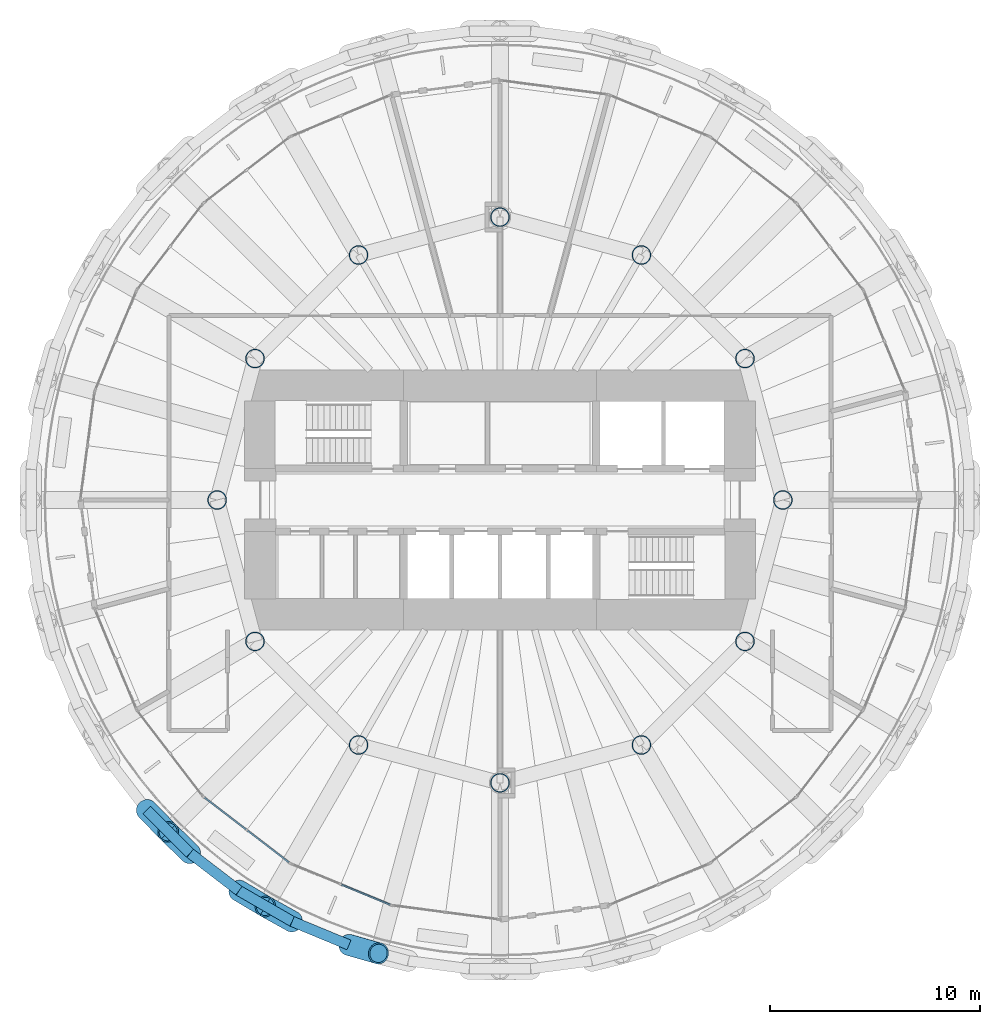
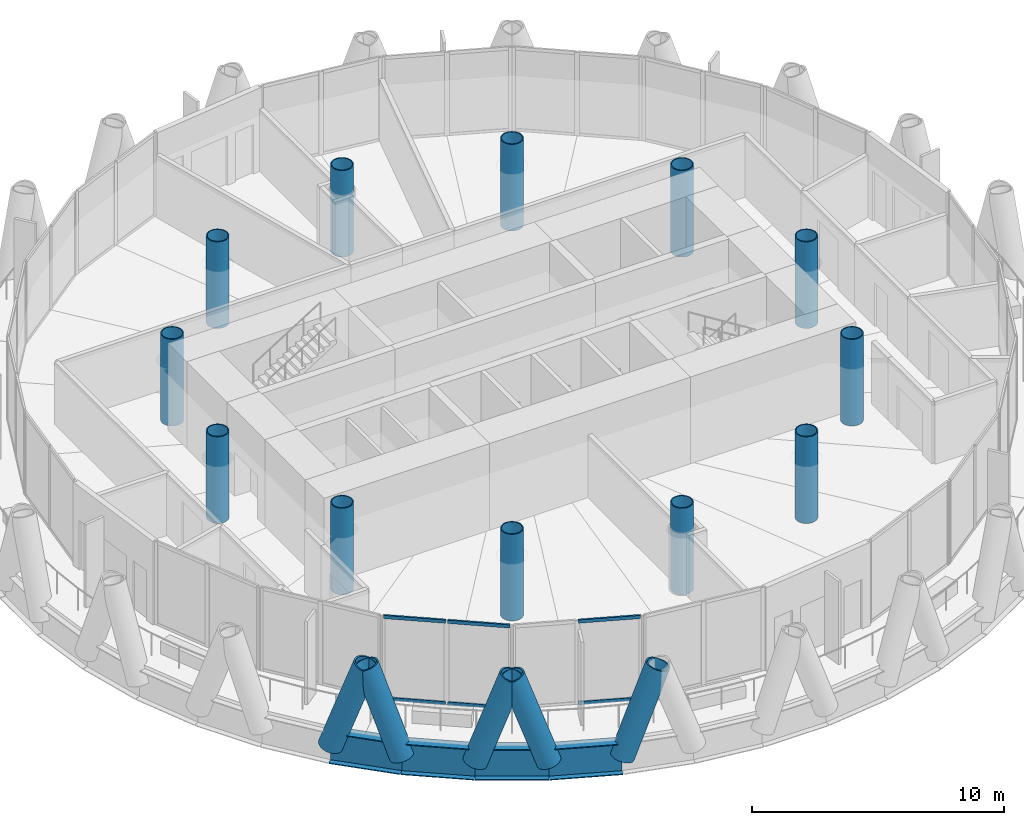
# One storey, part 1 of 14: 12 columns, 11 members, 4 beams, 2 elements without a shape of their own.
"""IFC4 building model written with IfcOpenShell, lengths in metres."""

from ifc_helpers import new_model, si_unit, direction, frame, origin, origin_2d, place, context, subcontext, project, spatial, rectangle, hollow_circle, i_section, extrude, material, material_profile, profile_set, type_object, element, aggregate, save


model = new_model("IFC4")

# Units and contexts
model_context = context("Model", 3, precision=1e-05, world=origin(), true_north=direction((0.0, 1.0)))
body_context = subcontext(model_context, "Body", "Model", "MODEL_VIEW")
ifc_project = project(units=[si_unit("LENGTHUNIT", "METRE"), si_unit("AREAUNIT", "SQUARE_METRE"), si_unit("VOLUMEUNIT", "CUBIC_METRE"), si_unit("PLANEANGLEUNIT", "RADIAN"), si_unit("MASSUNIT", "GRAM", prefix="KILO")], contexts=[model_context])

# Site, building, storey
site_placement = place(None, origin())
site = spatial("IfcSite", under=ifc_project, at=site_placement, CompositionType="ELEMENT")
building_placement = place(site_placement, origin())
building = spatial("IfcBuilding", under=site, at=building_placement, Name="Qaws Media Tower", CompositionType="ELEMENT")
storey_placement = place(building_placement, frame((0.0, 0.0, 240.199951171875)))
storey = spatial("IfcBuildingStorey", under=building, at=storey_placement, Name="L55", CompositionType="ELEMENT", Elevation=240.199951171875)

# Columns
ifc_material_1 = material(Name="Steel S460", Category="steel")
ifc_material_profile_1 = material_profile(ifc_material_1, hollow_circle(Radius=0.45703125, WallThickness=0.044921875, at=origin_2d()), Name="CHS 914x45")
ifc_profile_set_1 = profile_set([ifc_material_profile_1], Name="Steel S460")
column_type = type_object("IfcColumnType", Name="Inner column CHS 914x45", PredefinedType="COLUMN", material=ifc_profile_set_1)
for number, where, z_axis, x_axis, name in (
    (1, (73.5, 50.0, 0.0), (0.0, 0.0, 1.0), (1.0, 0.0, 0.0), "C3 inner column I01 L55"),
    (2, (71.69140625, 56.75, 0.0), (0.0, 0.0, 1.0), (1.0, 0.0, 0.0), "C3 inner column I02 L55"),
    (3, (66.75, 61.69140625, 0.0), (0.0, 0.0, 1.0), (1.0, 0.0, 0.0), "C3 inner column I03 L55"),
    (4, (60.0, 63.5, 0.0), (0.0, 0.0, 1.0), (1.0, 0.0, 0.0), "C3 inner column I04 L55"),
    (5, (53.25, 61.69140625, 0.0), (0.0, 0.0, 1.0), (1.0, 0.0, 0.0), "C3 inner column I05 L55"),
    (6, (48.30859375, 56.75, 0.0), (0.0, 0.0, 1.0), (1.0, 0.0, 0.0), "C3 inner column I06 L55"),
    (7, (46.5, 50.0, 0.0), (0.0, 0.0, 1.0), (1.0, 0.0, 0.0), "C3 inner column I07 L55"),
    (8, (48.30859375, 43.25, 0.0), (0.0, 0.0, 1.0), (1.0, 0.0, 0.0), "C3 inner column I08 L55"),
    (9, (53.25, 38.30859375, 0.0), (0.0, 0.0, 1.0), (1.0, 0.0, 0.0), "C3 inner column I09 L55"),
    (10, (60.0, 36.5, 0.0), (0.0, 0.0, 1.0), (1.0, 0.0, 0.0), "C3 inner column I10 L55"),
    (11, (66.75, 38.30859375, 0.0), (0.0, 0.0, 1.0), (1.0, 0.0, 0.0), "C3 inner column I11 L55"),
    (12, (71.69140625, 43.25, 0.0), (0.0, 0.0, 1.0), (1.0, 0.0, 0.0), "C3 inner column I12 L55"),
):
    element("IfcColumn", number, at=place(storey_placement, frame(where, z_axis=z_axis, x_axis=x_axis)), inside=storey, type_object=column_type, Name=name, PredefinedType="COLUMN", context=body_context, shape_type="SweptSolid", body=[
        extrude(hollow_circle(Radius=0.45703125, WallThickness=0.044921875, at=origin_2d()), origin(), (0.0, 0.0, 1.0), 4.199951171875),
    ])

# Curtain wall, members
ifc_material_2 = material(Name="Aluminium and clear glass", Category="aluminium")
curtain_wall_type = type_object("IfcCurtainWallType", Name="Unitised curtain wall CW-C", PredefinedType="NOTDEFINED", material=ifc_material_2)
curtain_wall_1_placement = place(storey_placement, origin())
curtain_wall_1 = element("IfcCurtainWall", 13, at=curtain_wall_1_placement, inside=storey, type_object=curtain_wall_type, Name="CWC curtain wall L55-16", PredefinedType="NOTDEFINED")
ifc_material_3 = material(Name="Aluminium transom", Category="aluminium")
ifc_material_profile_2 = material_profile(ifc_material_3, rectangle(XDim=0.080078125, YDim=0.159912109375, at=origin_2d()), Name="80x160")
ifc_profile_set_2 = profile_set([ifc_material_profile_2], Name="Aluminium transom")
member_type_1 = type_object("IfcMemberType", Name="Curtain wall transom 80x160", PredefinedType="USERDEFINED", material=ifc_profile_set_2)
member_1_placement = place(storey_placement, frame((45.903564453125, 35.79150390625, 0.0400390625), z_axis=(0.793373099339, -0.608735677651, 0.0), x_axis=(0.608735677651, 0.793373099339, 0.0)))
member_1 = element("IfcMember", 14, at=member_1_placement, type_object=member_type_1, Name="CWC transom 1.1", ObjectType="TRANSOM", PredefinedType="USERDEFINED", context=body_context, shape_type="SweptSolid", body=[
    extrude(rectangle(XDim=0.080078125, YDim=0.159912109375, at=origin_2d()), origin(), (0.0, 0.0, 1.0), 2.493896484375),
])
member_2_placement = place(storey_placement, frame((45.903564453125, 35.79150390625, 4.0), z_axis=(0.793373099339, -0.608735677651, 0.0), x_axis=(0.608735677651, 0.793373099339, 0.0)))
member_2 = element("IfcMember", 15, at=member_2_placement, type_object=member_type_1, Name="CWC transom 1.2", ObjectType="TRANSOM", PredefinedType="USERDEFINED", context=body_context, shape_type="SweptSolid", body=[
    extrude(rectangle(XDim=0.080078125, YDim=0.159912109375, at=origin_2d()), origin(), (0.0, 0.0, 1.0), 2.493896484375),
])
member_3_placement = place(storey_placement, frame((47.945556640625, 34.224609375, 0.0400390625), z_axis=(0.793373099339, -0.608735677651, 0.0), x_axis=(0.608735677651, 0.793373099339, 0.0)))
member_3 = element("IfcMember", 16, at=member_3_placement, type_object=member_type_1, Name="CWC transom 2.1", ObjectType="TRANSOM", PredefinedType="USERDEFINED", context=body_context, shape_type="SweptSolid", body=[
    extrude(rectangle(XDim=0.080078125, YDim=0.159912109375, at=origin_2d()), origin(), (0.0, 0.0, 1.0), 2.493896484375),
])
member_4_placement = place(storey_placement, frame((47.945556640625, 34.224609375, 4.0), z_axis=(0.793373099339, -0.608735677651, 0.0), x_axis=(0.608735677651, 0.793373099339, 0.0)))
member_4 = element("IfcMember", 17, at=member_4_placement, type_object=member_type_1, Name="CWC transom 2.2", ObjectType="TRANSOM", PredefinedType="USERDEFINED", context=body_context, shape_type="SweptSolid", body=[
    extrude(rectangle(XDim=0.080078125, YDim=0.159912109375, at=origin_2d()), origin(), (0.0, 0.0, 1.0), 2.493896484375),
])
aggregate(curtain_wall_1, [member_1, member_2, member_3, member_4])

curtain_wall_2_placement = place(storey_placement, origin())
curtain_wall_2 = element("IfcCurtainWall", 18, at=curtain_wall_2_placement, inside=storey, type_object=curtain_wall_type, Name="CWC curtain wall L55-17", PredefinedType="NOTDEFINED")
member_5_placement = place(storey_placement, frame((52.439208984375, 31.642333984375, 0.0400390625), z_axis=(0.923877226878, -0.382688998608, 0.0), x_axis=(0.382688998608, 0.923877226878, 0.0)))
member_5 = element("IfcMember", 19, at=member_5_placement, type_object=member_type_1, Name="CWC transom 2.1", ObjectType="TRANSOM", PredefinedType="USERDEFINED", context=body_context, shape_type="SweptSolid", body=[
    extrude(rectangle(XDim=0.080078125, YDim=0.159912109375, at=origin_2d()), origin(), (0.0, 0.0, 1.0), 2.493896484375),
])
member_6_placement = place(storey_placement, frame((52.439208984375, 31.642333984375, 4.0), z_axis=(0.923877226878, -0.382688998608, 0.0), x_axis=(0.382688998608, 0.923877226878, 0.0)))
member_6 = element("IfcMember", 20, at=member_6_placement, type_object=member_type_1, Name="CWC transom 2.2", ObjectType="TRANSOM", PredefinedType="USERDEFINED", context=body_context, shape_type="SweptSolid", body=[
    extrude(rectangle(XDim=0.080078125, YDim=0.159912109375, at=origin_2d()), origin(), (0.0, 0.0, 1.0), 2.493896484375),
])
aggregate(curtain_wall_2, [member_5, member_6])

# Members
ifc_material_4 = material(Name="Steel S460", Category="steel")
ifc_material_profile_3 = material_profile(ifc_material_4, hollow_circle(Radius=0.508056640625, WallThickness=0.070068359375, at=origin_2d()), Name="CHS 1016x70")
ifc_profile_set_3 = profile_set([ifc_material_profile_3], Name="Steel S460")
member_type_2 = type_object("IfcMemberType", Name="Diagrid member CHS 1016x70", PredefinedType="USERDEFINED", material=ifc_profile_set_3)
for number, where, z_axis, x_axis, name in (
    (21, (43.139892578125, 35.214111328125, -0.909912109375), (0.229502230315, -0.236746203151, 0.944076247754), (0.718006249042, 0.696036655886, 0.0), "DG3 diagrid L55 A15"),
    (22, (47.541259765625, 31.354248046875, -0.909912109375), (0.282953184863, -0.16929995642, 0.944073630567), (0.513442929839, 0.858123742707, 0.0), "DG3 diagrid L55 A16"),
    (23, (45.214111328125, 33.139892578125, -0.909912109375), (-0.236746203151, 0.229502230315, 0.944076247754), (-0.696036655886, -0.718006249042, 0.0), "DG3 diagrid L55 B16"),
    (24, (52.791748046875, 28.76513671875, -0.909912109375), (0.317090892068, -0.090330842565, 0.944083526521), (0.273973598637, 0.961737213198, 0.0), "DG3 diagrid L55 A17"),
    (25, (50.081787109375, 29.8876953125, -0.909912109375), (-0.288112181147, 0.16035500825, 0.944075019479), (-0.486321083339, -0.873780180537, 0.0), "DG3 diagrid L55 B17"),
):
    element("IfcMember", number, at=place(storey_placement, frame(where, z_axis=z_axis, x_axis=x_axis)), inside=storey, type_object=member_type_2, Name=name, ObjectType="DIAGRID", PredefinedType="USERDEFINED", context=body_context, shape_type="SweptSolid", body=[
        extrude(hollow_circle(Radius=0.508056640625, WallThickness=0.070068359375, at=origin_2d()), origin(), (0.0, 0.0, 1.0), 4.44873046875),
    ])

# Beams
ifc_material_5 = material(Name="Steel S460", Category="steel")
ifc_material_profile_4 = material_profile(ifc_material_5, i_section(OverallWidth=0.5, OverallDepth=1.5, WebThickness=0.02001953125, FlangeThickness=0.0400390625, at=origin_2d()), Name="PG 1500x500")
ifc_profile_set_4 = profile_set([ifc_material_profile_4], Name="Steel S460")
beam_type = type_object("IfcBeamType", Name="Edge ring beam PG 1500x500", PredefinedType="BEAM", material=ifc_profile_set_4)
for number, where, z_axis, x_axis, name in (
    (26, (43.139892578125, 35.214111328125, -0.909912109375), (0.707106781187, -0.707106781187, 0.0), (0.707106781187, 0.707106781187, 0.0), "RB4 edge ring beam L55-30"),
    (27, (45.214111328125, 33.139892578125, -0.909912109375), (0.793359806004, -0.608753002635, 0.0), (0.608753002635, 0.793359806004, 0.0), "RB4 edge ring beam L55-31"),
    (28, (47.541259765625, 31.354248046875, -0.909912109375), (0.866058085077, -0.499943390069, 0.0), (0.499943390069, 0.866058085077, 0.0), "RB4 edge ring beam L55-32"),
    (29, (50.081787109375, 29.8876953125, -0.909912109375), (0.923872780145, -0.382699733613, 0.0), (0.382699733613, 0.923872780145, 0.0), "RB4 edge ring beam L55-33"),
):
    element("IfcBeam", number, at=place(storey_placement, frame(where, z_axis=z_axis, x_axis=x_axis)), inside=storey, type_object=beam_type, Name=name, PredefinedType="BEAM", context=body_context, shape_type="SweptSolid", body=[
        extrude(i_section(OverallWidth=0.5, OverallDepth=1.5, WebThickness=0.02001953125, FlangeThickness=0.0400390625, at=origin_2d()), origin(), (0.0, 0.0, 1.0), 2.933349609375),
    ])

save(model, "model.ifc")
